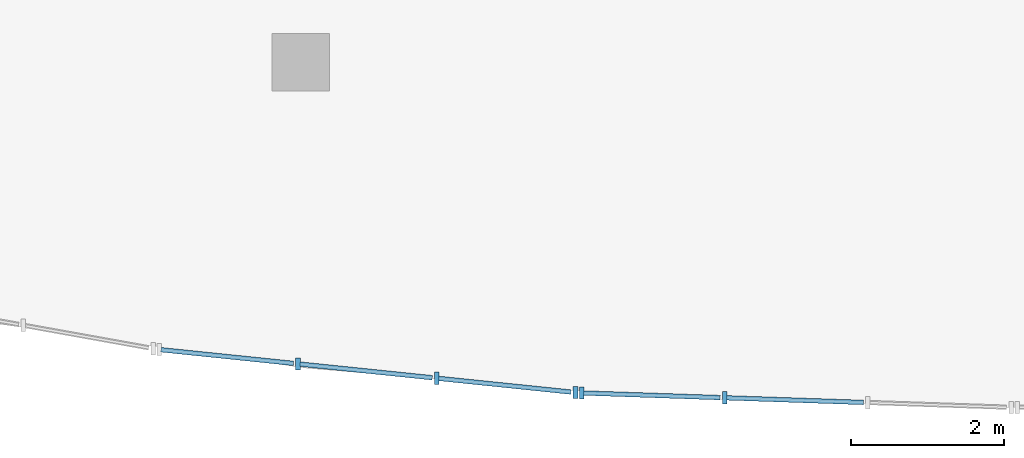
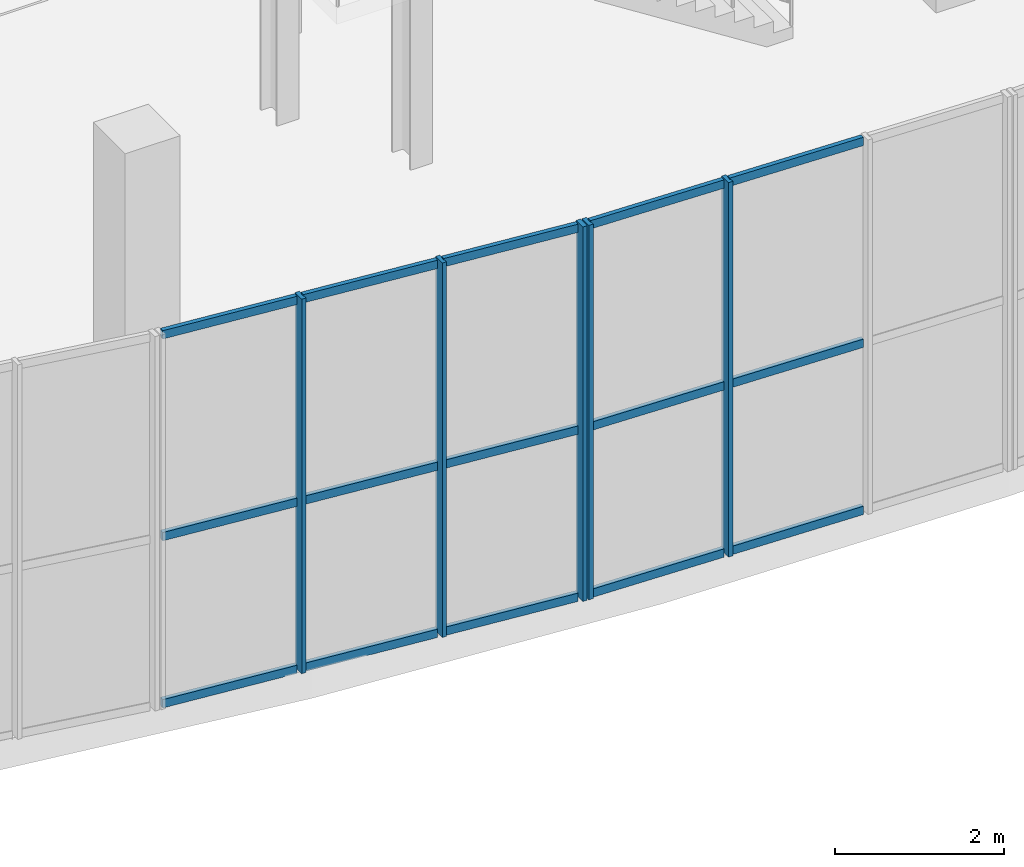
# One storey, part 22 of 85: 20 members, 2 elements without a shape of their own.
"""IFC4 building model written with IfcOpenShell, lengths in metres."""

from ifc_helpers import new_model, si_unit, direction, frame, origin, origin_2d, place, context, subcontext, project, spatial, rectangle, extrude, material, material_profile, profile_set, type_object, element, aggregate, save


model = new_model("IFC4")

# Units and contexts
model_context = context("Model", 3, precision=1e-05, world=origin(), true_north=direction((0.0, 1.0)))
body_context = subcontext(model_context, "Body", "Model", "MODEL_VIEW")
ifc_project = project(units=[si_unit("LENGTHUNIT", "METRE"), si_unit("AREAUNIT", "SQUARE_METRE"), si_unit("VOLUMEUNIT", "CUBIC_METRE"), si_unit("PLANEANGLEUNIT", "RADIAN"), si_unit("MASSUNIT", "GRAM", prefix="KILO"), si_unit("THERMODYNAMICTEMPERATUREUNIT", "KELVIN"), si_unit("POWERUNIT", "WATT")], contexts=[model_context])

# Site, building, storey
site_placement = place(None, origin())
site = spatial("IfcSite", under=ifc_project, at=site_placement, CompositionType="ELEMENT")
building_placement = place(site_placement, origin())
building = spatial("IfcBuilding", under=site, at=building_placement, Name="Solmara Park Aquatics Centre", CompositionType="ELEMENT")
storey_placement = place(building_placement, origin())
storey = spatial("IfcBuildingStorey", under=building, at=storey_placement, Name="L00", CompositionType="ELEMENT", Elevation=0.0)

# Curtain wall, members
ifc_material_1 = material(Name="Anodised Aluminium Curtain Wall Framing", Category="aluminium")
curtain_wall_type = type_object("IfcCurtainWallType", Name="ARC-CW-SYS02", PredefinedType="USERDEFINED", material=ifc_material_1)
curtain_wall_1_placement = place(storey_placement, origin())
curtain_wall_1 = element("IfcCurtainWall", 1, at=curtain_wall_1_placement, inside=storey, type_object=curtain_wall_type, Name="Curtain Wall CW-040", ObjectType="CURTAIN WALL", PredefinedType="USERDEFINED")
ifc_material_2 = material(Name="Anodised Aluminium Alloy 6063-T6", Category="aluminium")
ifc_material_profile_1 = material_profile(ifc_material_2, rectangle(XDim=0.06005859375, YDim=0.159912109375, at=origin_2d()), Name="ALU MULLION 60x160")
ifc_profile_set_1 = profile_set([ifc_material_profile_1], Name="Anodised Aluminium Alloy 6063-T6")
member_type_1 = type_object("IfcMemberType", Name="ARC-CWM-60x160", PredefinedType="MULLION", material=ifc_profile_set_1)
member_1_placement = place(storey_placement, frame((119.96435546875, 0.569091796875, 0.0), z_axis=(0.0, 0.0, 1.0), x_axis=(1.0, 0.0, 0.0)))
member_1 = element("IfcMember", 2, at=member_1_placement, type_object=member_type_1, Name="CW-040 mullion 2", PredefinedType="MULLION", context=body_context, shape_type="SweptSolid", body=[
    extrude(rectangle(XDim=0.06005859375, YDim=0.159912109375, at=origin_2d()), origin(), (0.0, 0.0, 1.0), 5.39990234375),
])
member_2_placement = place(storey_placement, frame((121.773193359375, 0.38232421875, 0.0), z_axis=(0.0, 0.0, 1.0), x_axis=(1.0, 0.0, 0.0)))
member_2 = element("IfcMember", 3, at=member_2_placement, type_object=member_type_1, Name="CW-040 mullion 3", PredefinedType="MULLION", context=body_context, shape_type="SweptSolid", body=[
    extrude(rectangle(XDim=0.06005859375, YDim=0.159912109375, at=origin_2d()), origin(), (0.0, 0.0, 1.0), 5.39990234375),
])
member_3_placement = place(storey_placement, frame((123.581787109375, 0.195556640625, 0.0), z_axis=(0.0, 0.0, 1.0), x_axis=(1.0, 0.0, 0.0)))
member_3 = element("IfcMember", 4, at=member_3_placement, type_object=member_type_1, Name="CW-040 mullion 4", PredefinedType="MULLION", context=body_context, shape_type="SweptSolid", body=[
    extrude(rectangle(XDim=0.06005859375, YDim=0.159912109375, at=origin_2d()), origin(), (0.0, 0.0, 1.0), 5.39990234375),
])

curtain_wall_2_placement = place(storey_placement, origin())
curtain_wall_2 = element("IfcCurtainWall", 5, at=curtain_wall_2_placement, inside=storey, type_object=curtain_wall_type, Name="Curtain Wall CW-043", ObjectType="CURTAIN WALL", PredefinedType="USERDEFINED")
member_4_placement = place(storey_placement, frame((123.66162109375, 0.190185546875, 0.0), z_axis=(0.0, 0.0, 1.0), x_axis=(1.0, 0.0, 0.0)))
member_4 = element("IfcMember", 6, at=member_4_placement, type_object=member_type_1, Name="CW-043 mullion 1", PredefinedType="MULLION", context=body_context, shape_type="SweptSolid", body=[
    extrude(rectangle(XDim=0.06005859375, YDim=0.159912109375, at=origin_2d()), origin(), (0.0, 0.0, 1.0), 5.39990234375),
])
member_5_placement = place(storey_placement, frame((125.52783203125, 0.127197265625, 0.0), z_axis=(0.0, 0.0, 1.0), x_axis=(1.0, 0.0, 0.0)))
member_5 = element("IfcMember", 7, at=member_5_placement, type_object=member_type_1, Name="CW-043 mullion 2", PredefinedType="MULLION", context=body_context, shape_type="SweptSolid", body=[
    extrude(rectangle(XDim=0.06005859375, YDim=0.159912109375, at=origin_2d()), origin(), (0.0, 0.0, 1.0), 5.39990234375),
])

# Member
ifc_material_profile_2 = material_profile(ifc_material_2, rectangle(XDim=0.06005859375, YDim=0.1201171875, at=origin_2d()), Name="ALU TRANSOM 60x120")
ifc_profile_set_2 = profile_set([ifc_material_profile_2], Name="Anodised Aluminium Alloy 6063-T6")
member_type_2 = type_object("IfcMemberType", Name="ARC-CWT-60x120", PredefinedType="USERDEFINED", material=ifc_profile_set_2)
member_6_placement = place(storey_placement, frame((118.175537109375, 0.753662109375, 0.0400390625), z_axis=(0.994716548008, -0.102659578793, 0.0), x_axis=(0.102659578793, 0.994716548008, 0.0)))
member_6 = element("IfcMember", 8, at=member_6_placement, type_object=member_type_2, Name="CW-040 transom 1", ObjectType="TRANSOM", PredefinedType="USERDEFINED", context=body_context, shape_type="SweptSolid", body=[
    extrude(rectangle(XDim=0.06005859375, YDim=0.1201171875, at=origin_2d()), origin(), (0.0, 0.0, 1.0), 1.738525390625),
])

member_7_placement = place(storey_placement, frame((118.175537109375, 0.753662109375, 2.449951171875), z_axis=(0.994716548008, -0.102659578793, 0.0), x_axis=(0.102659578793, 0.994716548008, 0.0)))
member_7 = element("IfcMember", 9, at=member_7_placement, type_object=member_type_2, Name="CW-040 transom 2", ObjectType="TRANSOM", PredefinedType="USERDEFINED", context=body_context, shape_type="SweptSolid", body=[
    extrude(rectangle(XDim=0.06005859375, YDim=0.1201171875, at=origin_2d()), origin(), (0.0, 0.0, 1.0), 1.738525390625),
])

member_8_placement = place(storey_placement, frame((118.175537109375, 0.753662109375, 5.360107421875), z_axis=(0.994716548008, -0.102659578793, 0.0), x_axis=(0.102659578793, 0.994716548008, 0.0)))
member_8 = element("IfcMember", 10, at=member_8_placement, type_object=member_type_2, Name="CW-040 transom 3", ObjectType="TRANSOM", PredefinedType="USERDEFINED", context=body_context, shape_type="SweptSolid", body=[
    extrude(rectangle(XDim=0.06005859375, YDim=0.1201171875, at=origin_2d()), origin(), (0.0, 0.0, 1.0), 1.738525390625),
])

member_9_placement = place(storey_placement, frame((119.984375, 0.56689453125, 0.0400390625), z_axis=(0.994715067632, -0.102673921836, 0.0), x_axis=(0.102673921836, 0.994715067632, 0.0)))
member_9 = element("IfcMember", 11, at=member_9_placement, type_object=member_type_2, Name="CW-040 transom 4", ObjectType="TRANSOM", PredefinedType="USERDEFINED", context=body_context, shape_type="SweptSolid", body=[
    extrude(rectangle(XDim=0.06005859375, YDim=0.1201171875, at=origin_2d()), origin(), (0.0, 0.0, 1.0), 1.73828125),
])

member_10_placement = place(storey_placement, frame((119.984375, 0.56689453125, 2.449951171875), z_axis=(0.994715067632, -0.102673921836, 0.0), x_axis=(0.102673921836, 0.994715067632, 0.0)))
member_10 = element("IfcMember", 12, at=member_10_placement, type_object=member_type_2, Name="CW-040 transom 5", ObjectType="TRANSOM", PredefinedType="USERDEFINED", context=body_context, shape_type="SweptSolid", body=[
    extrude(rectangle(XDim=0.06005859375, YDim=0.1201171875, at=origin_2d()), origin(), (0.0, 0.0, 1.0), 1.73828125),
])

member_11_placement = place(storey_placement, frame((119.984375, 0.56689453125, 5.360107421875), z_axis=(0.994715067632, -0.102673921836, 0.0), x_axis=(0.102673921836, 0.994715067632, 0.0)))
member_11 = element("IfcMember", 13, at=member_11_placement, type_object=member_type_2, Name="CW-040 transom 6", ObjectType="TRANSOM", PredefinedType="USERDEFINED", context=body_context, shape_type="SweptSolid", body=[
    extrude(rectangle(XDim=0.06005859375, YDim=0.1201171875, at=origin_2d()), origin(), (0.0, 0.0, 1.0), 1.73828125),
])

member_12_placement = place(storey_placement, frame((121.793212890625, 0.380126953125, 0.0400390625), z_axis=(0.994715067632, -0.102673921836, 0.0), x_axis=(0.102673921836, 0.994715067632, 0.0)))
member_12 = element("IfcMember", 14, at=member_12_placement, type_object=member_type_2, Name="CW-040 transom 7", ObjectType="TRANSOM", PredefinedType="USERDEFINED", context=body_context, shape_type="SweptSolid", body=[
    extrude(rectangle(XDim=0.06005859375, YDim=0.1201171875, at=origin_2d()), origin(), (0.0, 0.0, 1.0), 1.73828125),
])

member_13_placement = place(storey_placement, frame((121.793212890625, 0.380126953125, 2.449951171875), z_axis=(0.994715067632, -0.102673921836, 0.0), x_axis=(0.102673921836, 0.994715067632, 0.0)))
member_13 = element("IfcMember", 15, at=member_13_placement, type_object=member_type_2, Name="CW-040 transom 8", ObjectType="TRANSOM", PredefinedType="USERDEFINED", context=body_context, shape_type="SweptSolid", body=[
    extrude(rectangle(XDim=0.06005859375, YDim=0.1201171875, at=origin_2d()), origin(), (0.0, 0.0, 1.0), 1.73828125),
])

member_14_placement = place(storey_placement, frame((121.793212890625, 0.380126953125, 5.360107421875), z_axis=(0.994715067632, -0.102673921836, 0.0), x_axis=(0.102673921836, 0.994715067632, 0.0)))
member_14 = element("IfcMember", 16, at=member_14_placement, type_object=member_type_2, Name="CW-040 transom 9", ObjectType="TRANSOM", PredefinedType="USERDEFINED", context=body_context, shape_type="SweptSolid", body=[
    extrude(rectangle(XDim=0.06005859375, YDim=0.1201171875, at=origin_2d()), origin(), (0.0, 0.0, 1.0), 1.73828125),
])

aggregate(curtain_wall_1, [member_1, member_2, member_3, member_6, member_7, member_8, member_9, member_10, member_11, member_12, member_13, member_14])

member_15_placement = place(storey_placement, frame((123.681640625, 0.189453125, 0.0400390625), z_axis=(0.999430563319, -0.033742393267, 0.0), x_axis=(0.033742393267, 0.999430563319, 0.0)))
member_15 = element("IfcMember", 17, at=member_15_placement, type_object=member_type_2, Name="CW-043 transom 1", ObjectType="TRANSOM", PredefinedType="USERDEFINED", context=body_context, shape_type="SweptSolid", body=[
    extrude(rectangle(XDim=0.06005859375, YDim=0.1201171875, at=origin_2d()), origin(), (0.0, 0.0, 1.0), 1.787109375),
])

member_16_placement = place(storey_placement, frame((123.681640625, 0.189453125, 2.449951171875), z_axis=(0.999430563319, -0.033742393267, 0.0), x_axis=(0.033742393267, 0.999430563319, 0.0)))
member_16 = element("IfcMember", 18, at=member_16_placement, type_object=member_type_2, Name="CW-043 transom 2", ObjectType="TRANSOM", PredefinedType="USERDEFINED", context=body_context, shape_type="SweptSolid", body=[
    extrude(rectangle(XDim=0.06005859375, YDim=0.1201171875, at=origin_2d()), origin(), (0.0, 0.0, 1.0), 1.787109375),
])

member_17_placement = place(storey_placement, frame((123.681640625, 0.189453125, 5.360107421875), z_axis=(0.999430563319, -0.033742393267, 0.0), x_axis=(0.033742393267, 0.999430563319, 0.0)))
member_17 = element("IfcMember", 19, at=member_17_placement, type_object=member_type_2, Name="CW-043 transom 3", ObjectType="TRANSOM", PredefinedType="USERDEFINED", context=body_context, shape_type="SweptSolid", body=[
    extrude(rectangle(XDim=0.06005859375, YDim=0.1201171875, at=origin_2d()), origin(), (0.0, 0.0, 1.0), 1.787109375),
])

member_18_placement = place(storey_placement, frame((125.5478515625, 0.12646484375, 0.0400390625), z_axis=(0.999435160911, -0.033605938981, 0.0), x_axis=(0.033605938981, 0.999435160911, 0.0)))
member_18 = element("IfcMember", 20, at=member_18_placement, type_object=member_type_2, Name="CW-043 transom 4", ObjectType="TRANSOM", PredefinedType="USERDEFINED", context=body_context, shape_type="SweptSolid", body=[
    extrude(rectangle(XDim=0.06005859375, YDim=0.1201171875, at=origin_2d()), origin(), (0.0, 0.0, 1.0), 1.787109375),
])

member_19_placement = place(storey_placement, frame((125.5478515625, 0.12646484375, 2.449951171875), z_axis=(0.999435160911, -0.033605938981, 0.0), x_axis=(0.033605938981, 0.999435160911, 0.0)))
member_19 = element("IfcMember", 21, at=member_19_placement, type_object=member_type_2, Name="CW-043 transom 5", ObjectType="TRANSOM", PredefinedType="USERDEFINED", context=body_context, shape_type="SweptSolid", body=[
    extrude(rectangle(XDim=0.06005859375, YDim=0.1201171875, at=origin_2d()), origin(), (0.0, 0.0, 1.0), 1.787109375),
])

member_20_placement = place(storey_placement, frame((125.5478515625, 0.12646484375, 5.360107421875), z_axis=(0.999435160911, -0.033605938981, 0.0), x_axis=(0.033605938981, 0.999435160911, 0.0)))
member_20 = element("IfcMember", 22, at=member_20_placement, type_object=member_type_2, Name="CW-043 transom 6", ObjectType="TRANSOM", PredefinedType="USERDEFINED", context=body_context, shape_type="SweptSolid", body=[
    extrude(rectangle(XDim=0.06005859375, YDim=0.1201171875, at=origin_2d()), origin(), (0.0, 0.0, 1.0), 1.787109375),
])

aggregate(curtain_wall_2, [member_4, member_5, member_15, member_16, member_17, member_18, member_19, member_20])

save(model, "model.ifc")
